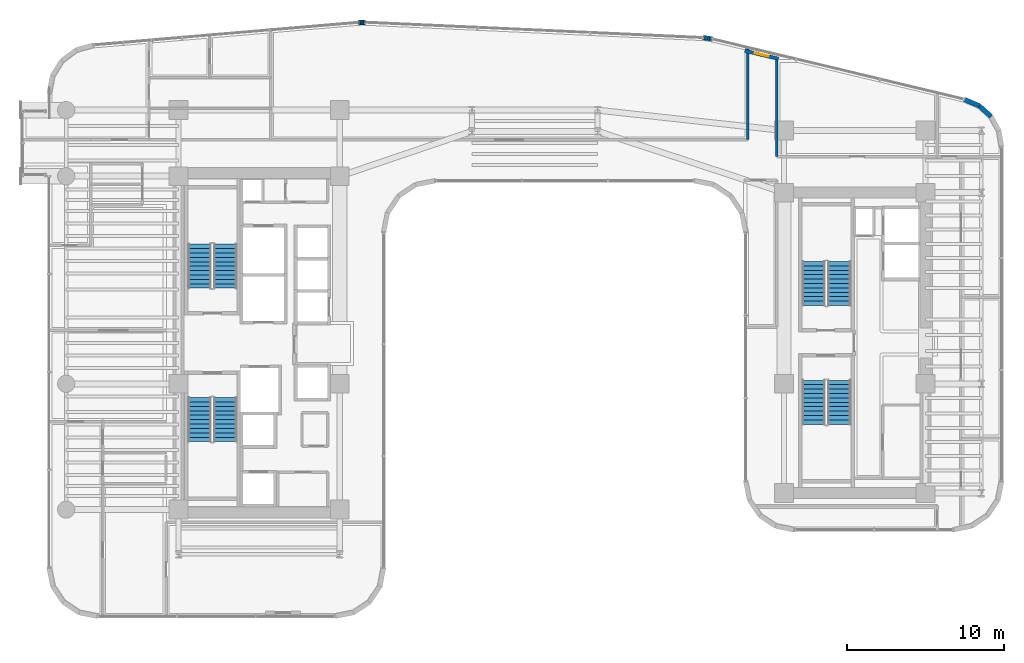
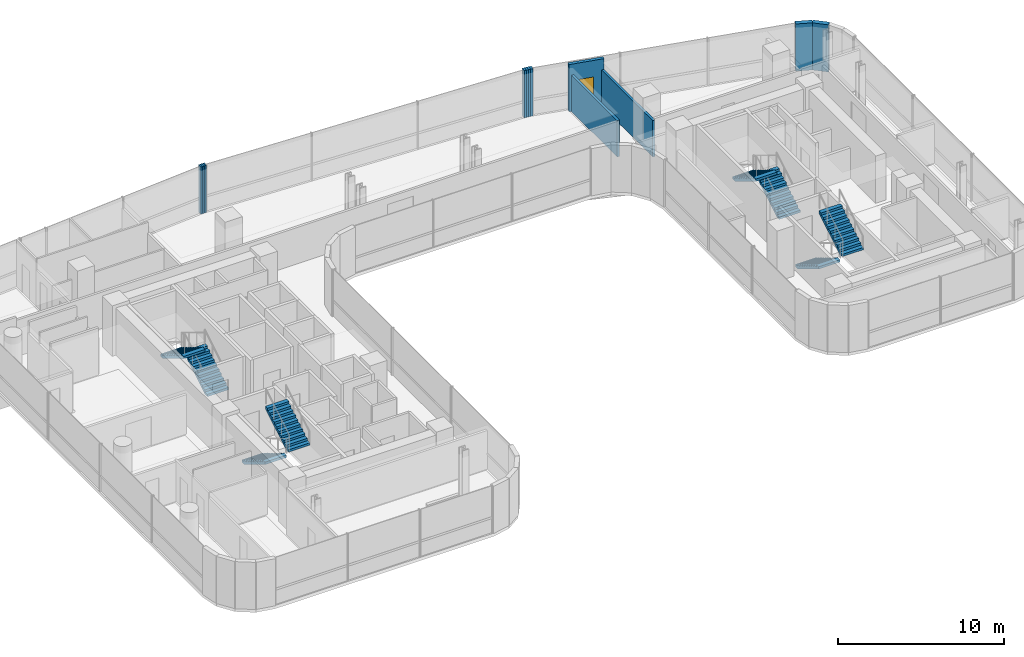
# One storey, part 31 of 35: 13 walls, 8 stair flights, 1 window, 1 opening, 4 elements without a shape of their own.
"""IFC4 building model written with IfcOpenShell, lengths in metres."""

import ifcopenshell
import ifcopenshell.guid

model = None  # the IFC model being written
_history = None  # IfcOwnerHistory: only IFC2X3 demands one
_inside = {}  # id of a spatial element -> (the spatial element, [elements in it])
_under = {}  # id of a project, library or spatial element -> (it, [spatial elements below it])
_declared = {}  # id of a project -> (the project, [libraries it declares])
_typed = {}  # id of a type object -> (the type object, [elements of that type])
_made_of = {}  # id of a material, layer set ... -> (it, [elements and type objects made of it])


def new_model(schema):
    """Start an empty IFC model of exactly this schema.

    Asked for "IFC4X3", IfcOpenShell would pick the latest addendum, in which some entities
    have other attributes; the version numbers below select the first issue.
    IFC2X3 requires an IfcOwnerHistory on every rooted entity: one is made here for all.
    """
    global model, _history
    if schema == "IFC4X3":
        model = ifcopenshell.file(schema_version=(4, 3, 0, 0))
    else:
        model = ifcopenshell.file(schema=schema)
    _inside.clear()
    _under.clear()
    _declared.clear()
    _typed.clear()
    _made_of.clear()
    _history = None
    if model.schema == "IFC2X3":
        org = make("IfcOrganization", Name="unknown")
        user = make(
            "IfcPersonAndOrganization",
            ThePerson=make("IfcPerson", FamilyName="unknown"),
            TheOrganization=org,
        )
        app = make(
            "IfcApplication",
            ApplicationDeveloper=org,
            Version="unknown",
            ApplicationFullName="unknown",
            ApplicationIdentifier="unknown",
        )
        _history = make(
            "IfcOwnerHistory",
            OwningUser=user,
            OwningApplication=app,
            ChangeAction="ADDED",
            CreationDate=0,
        )
    return model


def make(cls, **values):
    """One entity of the class cls with the attributes given. An attribute that is None is left unset."""
    return model.create_entity(
        cls, **{name: value for name, value in values.items() if value is not None}
    )


def rooted(cls, **values):
    """An entity with a GlobalId (a new one), such as an element, a storey or a relation."""
    return make(cls, GlobalId=ifcopenshell.guid.new(), OwnerHistory=_history, **values)


def si_unit(unit_type, name, prefix=None):
    """IfcSIUnit, for example si_unit("LENGTHUNIT", "METRE", prefix="MILLI")."""
    return make("IfcSIUnit", UnitType=unit_type, Prefix=prefix, Name=name)


def assignment(units):
    """IfcUnitAssignment: the units of a project."""
    return None if units is None else make("IfcUnitAssignment", Units=units)


def point(xyz):
    """IfcCartesianPoint."""
    return None if xyz is None else make("IfcCartesianPoint", Coordinates=xyz)


def direction(xyz):
    """IfcDirection."""
    return None if xyz is None else make("IfcDirection", DirectionRatios=xyz)


def frame(location, z_axis=None, x_axis=None):
    """IfcAxis2Placement3D, a coordinate frame: its origin and axes. An axis left out is left unset."""
    return make(
        "IfcAxis2Placement3D",
        Location=point(location),
        Axis=direction(z_axis),
        RefDirection=direction(x_axis),
    )


def frame_2d(location, x_axis=None):
    """IfcAxis2Placement2D, a coordinate frame in the plane: its origin and x axis."""
    return make(
        "IfcAxis2Placement2D", Location=point(location), RefDirection=direction(x_axis)
    )


def origin():
    """The frame at (0, 0, 0) with its axes left unset."""
    return frame((0.0, 0.0, 0.0))


def place(relative_to, where):
    """IfcLocalPlacement: puts the frame where relative to a parent placement (None: the world)."""
    return make(
        "IfcLocalPlacement", PlacementRelTo=relative_to, RelativePlacement=where
    )


def context(
    kind, dimensions, precision=None, world=None, true_north=None, identifier=None
):
    """IfcGeometricRepresentationContext, for example the 3D "Model" context."""
    return make(
        "IfcGeometricRepresentationContext",
        ContextIdentifier=identifier,
        ContextType=kind,
        CoordinateSpaceDimension=dimensions,
        Precision=precision,
        WorldCoordinateSystem=world,
        TrueNorth=true_north,
    )


def subcontext(parent, identifier, kind, view, scale=None):
    """IfcGeometricRepresentationSubContext, for example "Body" below "Model"."""
    return make(
        "IfcGeometricRepresentationSubContext",
        ContextIdentifier=identifier,
        ContextType=kind,
        ParentContext=parent,
        TargetScale=scale,
        TargetView=view,
    )


def project(units=None, contexts=None):
    """IfcProject with its units and contexts."""
    return rooted(
        "IfcProject",
        Name="project",
        RepresentationContexts=contexts,
        UnitsInContext=assignment(units),
    )


def spatial(cls, under=None, at=None, **own):
    """A site, building, storey or space (cls), placed at a placement, below another one or the project."""
    s = rooted(cls, ObjectPlacement=at, **own)
    if under is not None:
        _under.setdefault(under.id(), (under, []))[1].append(s)
    return s


def polyline(points):
    """IfcPolyline through the points."""
    return make("IfcPolyline", Points=[point(p) for p in points])


def profile(cls, at=None, kind="AREA", **sizes):
    """A parametric profile (cls). Its sizes go by their IFC names, for example OverallWidth=200.0."""
    return make(cls, ProfileType=kind, Position=at, **sizes)


def rectangle(**sizes):
    """IfcRectangleProfileDef."""
    return profile("IfcRectangleProfileDef", **sizes)


def outline(outer, holes=None, kind="AREA"):
    """IfcArbitraryClosedProfileDef: a profile drawn as a closed curve; with holes, ...WithVoids."""
    if holes is None:
        return make("IfcArbitraryClosedProfileDef", ProfileType=kind, OuterCurve=outer)
    return make(
        "IfcArbitraryProfileDefWithVoids",
        ProfileType=kind,
        OuterCurve=outer,
        InnerCurves=holes,
    )


def extrude(swept, where, along, depth):
    """IfcExtrudedAreaSolid: the profile swept, set in the frame where, extruded along a direction by depth."""
    return make(
        "IfcExtrudedAreaSolid",
        SweptArea=swept,
        Position=where,
        ExtrudedDirection=direction(along),
        Depth=depth,
    )


def shape(context_of_items, identifier, shape_type, items):
    """IfcShapeRepresentation: the items that make up one representation, for example the "Body"."""
    return make(
        "IfcShapeRepresentation",
        ContextOfItems=context_of_items,
        RepresentationIdentifier=identifier,
        RepresentationType=shape_type,
        Items=items,
    )


def material(Name=None, Category=None):
    """IfcMaterial."""
    return make("IfcMaterial", Name=Name, Category=Category)


def layer(
    of_material, thickness, ventilated=None, Name=None, Category=None, Priority=None
):
    """IfcMaterialLayer: one layer of a wall or slab, of a material (None: an air gap)."""
    return make(
        "IfcMaterialLayer",
        Material=of_material,
        LayerThickness=thickness,
        IsVentilated=ventilated,
        Name=Name,
        Category=Category,
        Priority=Priority,
    )


def layer_set(layers, Name=None):
    """IfcMaterialLayerSet."""
    return make("IfcMaterialLayerSet", MaterialLayers=layers, LayerSetName=Name)


def made_of(thing, what):
    """Note that an element or type object is made of a material, layer set ...; save() writes the relation."""
    if what is not None:
        _made_of.setdefault(what.id(), (what, []))[1].append(thing)
    return thing


def type_object(cls, material=None, **own):
    """A type object (cls), such as IfcWallType, which elements share."""
    return made_of(rooted(cls, **own), material)


def element(
    cls,
    number,
    at=None,
    inside=None,
    cuts=None,
    type_object=None,
    material=None,
    context=None,
    identifier="Body",
    shape_type=None,
    held_by="IfcProductDefinitionShape",
    body=None,
    shapes=None,
    **own,
):
    """One element of the class cls, such as IfcWall. Its Tag is "e" and its number.

    at: its placement. inside: the storey or other place that contains it. cuts: it is an
    opening in that element (IfcRelVoidsElement). A single representation is given by context,
    identifier, shape_type and body (its items); several are given by shapes. held_by: the class
    of the entity that holds the representations. save() writes the other relations.
    """
    e = rooted(cls, Tag="e%d" % number, ObjectPlacement=at, **own)
    if body is not None:
        shapes = [shape(context, identifier, shape_type, body)]
    if shapes is not None:
        e.Representation = make(held_by, Representations=shapes)
    if inside is not None:
        _inside.setdefault(inside.id(), (inside, []))[1].append(e)
    if cuts is not None:
        rooted(
            "IfcRelVoidsElement", RelatingBuildingElement=cuts, RelatedOpeningElement=e
        )
    if type_object is not None:
        _typed.setdefault(type_object.id(), (type_object, []))[1].append(e)
    return made_of(e, material)


def fill(opening, filler):
    """IfcRelFillsElement: the door or window that sits in an opening."""
    return rooted(
        "IfcRelFillsElement",
        RelatingOpeningElement=opening,
        RelatedBuildingElement=filler,
    )


def aggregate(whole, parts):
    """IfcRelAggregates: a whole, such as a stair, and the parts it consists of."""
    return rooted("IfcRelAggregates", RelatingObject=whole, RelatedObjects=parts)


def save(model, path):
    """Write the relations noted so far, then the file.

    IfcRelAggregates (storeys below a building ...), IfcRelContainedInSpatialStructure (elements
    in a storey), IfcRelDefinesByType, IfcRelAssociatesMaterial and IfcRelDeclares: one each for
    every whole, place, type object, material and project.
    """
    for whole, parts in _under.values():
        aggregate(whole, parts)
    for where, things in _inside.values():
        rooted(
            "IfcRelContainedInSpatialStructure",
            RelatedElements=things,
            RelatingStructure=where,
        )
    for kind, things in _typed.values():
        rooted("IfcRelDefinesByType", RelatedObjects=things, RelatingType=kind)
    for what, things in _made_of.values():
        rooted("IfcRelAssociatesMaterial", RelatedObjects=things, RelatingMaterial=what)
    for by, libraries in _declared.values():
        rooted("IfcRelDeclares", RelatingContext=by, RelatedDefinitions=libraries)
    model.write(path)


model = new_model("IFC4")

# Units and contexts
model_context = context("Model", 3, precision=1e-05, world=origin(), true_north=direction((0.0, 1.0)))
body_context = subcontext(model_context, "Body", "Model", "MODEL_VIEW")
ifc_project = project(units=[si_unit("LENGTHUNIT", "METRE"), si_unit("AREAUNIT", "SQUARE_METRE"), si_unit("VOLUMEUNIT", "CUBIC_METRE"), si_unit("PLANEANGLEUNIT", "RADIAN"), si_unit("MASSUNIT", "GRAM", prefix="KILO")], contexts=[model_context])

# Site, building, storey
site_placement = place(None, origin())
site = spatial("IfcSite", under=ifc_project, at=site_placement, CompositionType="ELEMENT")
building_placement = place(site_placement, origin())
building = spatial("IfcBuilding", under=site, at=building_placement, Name="Valdorenza Pilgrim Sanctuary Tower", CompositionType="ELEMENT")
storey_placement = place(building_placement, frame((0.0, 0.0, 150.10009765625)))
storey = spatial("IfcBuildingStorey", under=building, at=storey_placement, Name="L38", CompositionType="ELEMENT", Elevation=150.10009765625)

# Walls
ifc_material_1 = material(Name="Acoustic twin-stud gypsum partition", Category="gypsum")
ifc_layer_1 = layer(ifc_material_1, 0.159912109375, Name="Acoustic twin-stud gypsum partition")
ifc_layer_set_1 = layer_set([ifc_layer_1], Name="Acoustic twin-stud gypsum partition")
wall_type_1 = type_object("IfcWallType", Name="WAL-COR-160", PredefinedType="PARTITIONING", material=ifc_layer_set_1)
wall_1_placement = place(storey_placement, frame((13.550048828125, 12.919921875, 0.0), z_axis=(0.0, 0.0, 1.0), x_axis=(0.0, 1.0, 0.0)))
element("IfcWall", 1, at=wall_1_placement, inside=storey, type_object=wall_type_1, Name="L38 North Band East Closure", PredefinedType="PARTITIONING", context=body_context, shape_type="SweptSolid", body=[
    extrude(rectangle(XDim=5.856689453125, YDim=0.159912109375, at=frame_2d((2.92822265625, 0.0))), origin(), (0.0, 0.0, 1.0), 2.666015625),
])
wall_2_placement = place(storey_placement, frame((15.39990234375, 11.85009765625, 0.0), z_axis=(0.0, 0.0, 1.0), x_axis=(0.0, 1.0, 0.0)))
element("IfcWall", 2, at=wall_2_placement, inside=storey, type_object=wall_type_1, Name="L38 Wing B North West Wall", PredefinedType="PARTITIONING", context=body_context, shape_type="SweptSolid", body=[
    extrude(rectangle(XDim=6.14990234375, YDim=0.159912109375, at=frame_2d((3.074951171875, 0.0))), origin(), (0.0, 0.0, 1.0), 2.666015625),
])
ifc_material_2 = material(Name="Honed travertine limestone", Category="masonry")
ifc_layer_2 = layer(ifc_material_2, 0.300048828125, Name="Honed travertine limestone")
ifc_layer_set_2 = layer_set([ifc_layer_2], Name="Honed travertine limestone")
wall_type_2 = type_object("IfcWallType", Name="WAL-EXT-300", PredefinedType="SOLIDWALL", material=ifc_layer_set_2)
wall_3_placement = place(storey_placement, frame((-11.199462890625, 20.37255859375, 0.0), z_axis=(0.0, 0.0, 1.0), x_axis=(0.997567332166, 0.069709524416, 0.0)))
element("IfcWall", 3, at=wall_3_placement, inside=storey, type_object=wall_type_2, Name="L38 Rounded Wind-Corner Stone Pier 7", PredefinedType="SOLIDWALL", context=body_context, shape_type="SweptSolid", body=[
    extrude(rectangle(XDim=0.1015625, YDim=0.300048828125, at=frame_2d((0.05078125, 0.0))), origin(), (0.0, 0.0, 1.0), 3.4599609375),
])
wall_4_placement = place(storey_placement, frame((-11.09814453125, 20.379638671875, 0.0), z_axis=(0.0, 0.0, 1.0), x_axis=(0.999334672785, 0.03647206835, 0.0)))
element("IfcWall", 4, at=wall_4_placement, inside=storey, type_object=wall_type_2, Name="L38 Rounded Wind-Corner Stone Pier 8", PredefinedType="SOLIDWALL", context=body_context, shape_type="SweptSolid", body=[
    extrude(rectangle(XDim=0.100341796875, YDim=0.300048828125, at=frame_2d((0.05029296875, 0.0))), origin(), (0.0, 0.0, 1.0), 3.4599609375),
])
wall_5_placement = place(storey_placement, frame((-10.997802734375, 20.38330078125, 0.0), z_axis=(0.0, 0.0, 1.0), x_axis=(0.999997054401, 0.002427177317, 0.0)))
element("IfcWall", 5, at=wall_5_placement, inside=storey, type_object=wall_type_2, Name="L38 Rounded Wind-Corner Stone Pier 9", PredefinedType="SOLIDWALL", context=body_context, shape_type="SweptSolid", body=[
    extrude(rectangle(XDim=0.1005859375, YDim=0.300048828125, at=frame_2d((0.05029296875, 0.0))), origin(), (0.0, 0.0, 1.0), 3.4599609375),
])
wall_6_placement = place(storey_placement, frame((-10.897216796875, 20.383544921875, 0.0), z_axis=(0.0, 0.0, 1.0), x_axis=(0.999584209171, -0.02883415988, 0.0)))
element("IfcWall", 6, at=wall_6_placement, inside=storey, type_object=wall_type_2, Name="L38 Rounded Wind-Corner Stone Pier 10", PredefinedType="SOLIDWALL", context=body_context, shape_type="SweptSolid", body=[
    extrude(rectangle(XDim=0.1015625, YDim=0.300048828125, at=frame_2d((0.05078125, 0.0))), origin(), (0.0, 0.0, 1.0), 3.4599609375),
])
wall_7_placement = place(storey_placement, frame((10.68994140625, 19.404052734375, 0.0), z_axis=(0.0, 0.0, 1.0), x_axis=(0.99758310784, -0.069483400546, 0.0)))
element("IfcWall", 7, at=wall_7_placement, inside=storey, type_object=wall_type_2, Name="L38 Rounded Wind-Corner Stone Pier 12", PredefinedType="SOLIDWALL", context=body_context, shape_type="SweptSolid", body=[
    extrude(rectangle(XDim=0.1474609375, YDim=0.300048828125, at=frame_2d((0.07373046875, 0.0))), origin(), (0.0, 0.0, 1.0), 3.4599609375),
])
for number, where, z_axis, x_axis, name in (
    (8, (10.837158203125, 19.393798828125, 0.0), (0.0, 0.0, 1.0), (0.993173334962, -0.116647874912, 0.0), "L38 Rounded Wind-Corner Stone Pier 13"),
    (9, (10.982666015625, 19.376708984375, 0.0), (0.0, 0.0, 1.0), (0.986573494681, -0.163317909592, 0.0), "L38 Rounded Wind-Corner Stone Pier 14"),
):
    element("IfcWall", number, at=place(storey_placement, frame(where, z_axis=z_axis, x_axis=x_axis)), inside=storey, type_object=wall_type_2, Name=name, PredefinedType="SOLIDWALL", context=body_context, shape_type="SweptSolid", body=[
        extrude(rectangle(XDim=0.146484375, YDim=0.300048828125, at=frame_2d((0.0732421875, 0.0))), origin(), (0.0, 0.0, 1.0), 3.4599609375),
    ])
wall_8_placement = place(storey_placement, frame((11.127197265625, 19.352783203125, 0.0), z_axis=(0.0, 0.0, 1.0), x_axis=(0.978019841688, -0.208511844421, 0.0)))
element("IfcWall", 10, at=wall_8_placement, inside=storey, type_object=wall_type_2, Name="L38 Rounded Wind-Corner Stone Pier 15", PredefinedType="SOLIDWALL", context=body_context, shape_type="SweptSolid", body=[
    extrude(rectangle(XDim=0.1474609375, YDim=0.300048828125, at=frame_2d((0.07373046875, 0.0))), origin(), (0.0, 0.0, 1.0), 3.4599609375),
])

# Wall, opening, window
wall_9_placement = place(storey_placement, frame((13.355224609375, 18.576416015625, 0.0), z_axis=(0.0, 0.0, 1.0), x_axis=(0.97252211384, -0.232810519721, 0.0)))
wall_9 = element("IfcWall", 11, at=wall_9_placement, inside=storey, type_object=wall_type_2, Name="L38 Operable Ventilation Sash Jamb Pier", PredefinedType="SOLIDWALL", context=body_context, shape_type="SweptSolid", body=[
    extrude(rectangle(XDim=2.2001953125, YDim=0.219970703125, at=frame_2d((1.10009765625, 0.0))), origin(), (0.0, 0.0, 1.0), 3.4599609375),
])
opening_placement = place(wall_9_placement, frame((0.64990234375, 0.0, 0.949951171875)))
opening = element("IfcOpeningElement", 12, at=opening_placement, cuts=wall_9, Name="Opening WN-OP1", PredefinedType="OPENING", context=body_context, shape_type="SweptSolid", body=[
    extrude(rectangle(XDim=0.89990234375, YDim=1.300048828125, at=frame_2d((0.449951171875, 0.64990234375))), frame((0.0, 0.125, 0.0), z_axis=(0.0, -1.0, 0.0), x_axis=(1.0, 0.0, 0.0)), (0.0, 0.0, 1.0), 0.249755859375),
])
ifc_material_3 = material(Name="Ceramic-fritted low-E IGU glazing", Category="glass")
window_type = type_object("IfcWindowType", Name="WIN-OPN-900", PartitioningType="SINGLE_PANEL", PredefinedType="WINDOW", material=ifc_material_3)
window_placement = place(opening_placement, origin())
window = element("IfcWindow", 13, at=window_placement, inside=storey, type_object=window_type, Name="L38 Parallel-Pop-Out Operable Facade Panel", OverallHeight=1.300048828125, OverallWidth=0.89990234375, PartitioningType="SINGLE_PANEL", PredefinedType="WINDOW", context=body_context, shape_type="SweptSolid", body=[
    extrude(rectangle(XDim=0.89990234375, YDim=1.300048828125, at=frame_2d((0.449951171875, 0.64990234375))), frame((0.0, 0.030029296875, 0.0), z_axis=(0.0, -1.0, 0.0), x_axis=(1.0, 0.0, 0.0)), (0.0, 0.0, 1.0), 0.06005859375),
])
fill(opening, window)

# Walls
wall_10_placement = place(storey_placement, frame((27.310302734375, 15.48291015625, 0.0), z_axis=(0.0, 0.0, 1.0), x_axis=(0.920250328759, -0.391330208927, 0.0)))
element("IfcWall", 14, at=wall_10_placement, inside=storey, type_object=wall_type_2, Name="L38 Rounded Wind-Corner Stone Pier 17", PredefinedType="SOLIDWALL", context=body_context, shape_type="SweptSolid", body=[
    extrude(rectangle(XDim=1.0361328125, YDim=0.300048828125, at=frame_2d((0.51806640625, 0.0))), origin(), (0.0, 0.0, 1.0), 3.4599609375),
])
wall_11_placement = place(storey_placement, frame((28.263916015625, 15.077392578125, 0.0), z_axis=(0.0, 0.0, 1.0), x_axis=(0.741208839713, -0.671274501178, 0.0)))
element("IfcWall", 15, at=wall_11_placement, inside=storey, type_object=wall_type_2, Name="L38 Rounded Wind-Corner Stone Pier 18", PredefinedType="SOLIDWALL", context=body_context, shape_type="SweptSolid", body=[
    extrude(rectangle(XDim=1.0263671875, YDim=0.300048828125, at=frame_2d((0.51318359375, 0.0))), origin(), (0.0, 0.0, 1.0), 3.4599609375),
])

# Stair, stair flights
ifc_material_4 = material(Name="Concrete C40/50", Category="concrete")
stair_type = type_object("IfcStairType", Name="STR-DOG-CORE", PredefinedType="HALF_TURN_STAIR", material=ifc_material_4)
stair_1_placement = place(storey_placement, origin())
stair_1 = element("IfcStair", 16, at=stair_1_placement, inside=storey, type_object=stair_type, Name="L38 ST-A1", PredefinedType="HALF_TURN_STAIR")
stair_flight_type = type_object("IfcStairFlightType", Name="STF-RC-1400", PredefinedType="STRAIGHT", material=ifc_material_4)
stair_flight_1_placement = place(storey_placement, frame((-19.679931640625, 3.47998046875, 0.0), z_axis=(0.0, 0.0, 1.0), x_axis=(0.0, 1.0, 0.0)))
stair_flight_1 = element("IfcStairFlight", 17, at=stair_flight_1_placement, type_object=stair_flight_type, Name="ST-A1 flight 1", NumberOfRisers=11, NumberOfTreads=10, PredefinedType="STRAIGHT", RiserHeight=0.168181818, TreadLength=0.28, context=body_context, shape_type="SweptSolid", body=[
    extrude(outline(polyline([(0.0, 0.0), (0.0, 0.168212890625), (0.280029296875, 0.168212890625), (0.280029296875, 0.33642578125), (0.56005859375, 0.33642578125), (0.56005859375, 0.504638671875), (0.840087890625, 0.504638671875), (0.840087890625, 0.672607421875), (1.1201171875, 0.672607421875), (1.1201171875, 0.8408203125), (1.39990234375, 0.8408203125), (1.39990234375, 1.009033203125), (1.679931640625, 1.009033203125), (1.679931640625, 1.17724609375), (1.9599609375, 1.17724609375), (1.9599609375, 1.345458984375), (2.239990234375, 1.345458984375), (2.239990234375, 1.513671875), (2.52001953125, 1.513671875), (2.52001953125, 1.681884765625), (2.800048828125, 1.681884765625), (2.800048828125, 1.85009765625), (2.800048828125, 1.5068359375), (0.291015625, 0.0), (0.0, 0.0)])), frame((0.0, 0.739990234375, 0.0), z_axis=(0.0, -1.0, 0.0), x_axis=(1.0, 0.0, 0.0)), (0.0, 0.0, 1.0), 1.47998046875),
])
stair_flight_2_placement = place(storey_placement, frame((-21.31005859375, 6.280029296875, 1.849853515625), z_axis=(0.0, 0.0, 1.0), x_axis=(0.0, -1.0, 0.0)))
stair_flight_2 = element("IfcStairFlight", 18, at=stair_flight_2_placement, type_object=stair_flight_type, Name="ST-A1 flight 2", NumberOfRisers=11, NumberOfTreads=10, PredefinedType="STRAIGHT", RiserHeight=0.168181818, TreadLength=0.28, context=body_context, shape_type="SweptSolid", body=[
    extrude(outline(polyline([(0.0, 0.0), (0.0, 0.168212890625), (0.280029296875, 0.168212890625), (0.280029296875, 0.33642578125), (0.56005859375, 0.33642578125), (0.56005859375, 0.504638671875), (0.840087890625, 0.504638671875), (0.840087890625, 0.672607421875), (1.1201171875, 0.672607421875), (1.1201171875, 0.8408203125), (1.39990234375, 0.8408203125), (1.39990234375, 1.009033203125), (1.679931640625, 1.009033203125), (1.679931640625, 1.17724609375), (1.9599609375, 1.17724609375), (1.9599609375, 1.345458984375), (2.239990234375, 1.345458984375), (2.239990234375, 1.513671875), (2.52001953125, 1.513671875), (2.52001953125, 1.681884765625), (2.800048828125, 1.681884765625), (2.800048828125, 1.85009765625), (2.800048828125, 1.5068359375), (0.291015625, 0.0), (0.0, 0.0)])), frame((0.0, 0.739990234375, 0.0), z_axis=(0.0, -1.0, 0.0), x_axis=(1.0, 0.0, 0.0)), (0.0, 0.0, 1.0), 1.47998046875),
])
aggregate(stair_1, [stair_flight_1, stair_flight_2])

stair_2_placement = place(storey_placement, origin())
stair_2 = element("IfcStair", 19, at=stair_2_placement, inside=storey, type_object=stair_type, Name="L38 ST-A2", PredefinedType="HALF_TURN_STAIR")
stair_flight_3_placement = place(storey_placement, frame((-21.31005859375, -3.47998046875, 0.0), z_axis=(0.0, 0.0, 1.0), x_axis=(0.0, -1.0, 0.0)))
stair_flight_3 = element("IfcStairFlight", 20, at=stair_flight_3_placement, type_object=stair_flight_type, Name="ST-A2 flight 1", NumberOfRisers=11, NumberOfTreads=10, PredefinedType="STRAIGHT", RiserHeight=0.168181818, TreadLength=0.28, context=body_context, shape_type="SweptSolid", body=[
    extrude(outline(polyline([(0.0, 0.0), (0.0, 0.168212890625), (0.280029296875, 0.168212890625), (0.280029296875, 0.33642578125), (0.56005859375, 0.33642578125), (0.56005859375, 0.504638671875), (0.840087890625, 0.504638671875), (0.840087890625, 0.672607421875), (1.1201171875, 0.672607421875), (1.1201171875, 0.8408203125), (1.39990234375, 0.8408203125), (1.39990234375, 1.009033203125), (1.679931640625, 1.009033203125), (1.679931640625, 1.17724609375), (1.9599609375, 1.17724609375), (1.9599609375, 1.345458984375), (2.239990234375, 1.345458984375), (2.239990234375, 1.513671875), (2.52001953125, 1.513671875), (2.52001953125, 1.681884765625), (2.800048828125, 1.681884765625), (2.800048828125, 1.85009765625), (2.800048828125, 1.5068359375), (0.291015625, 0.0), (0.0, 0.0)])), frame((0.0, 0.739990234375, 0.0), z_axis=(0.0, -1.0, 0.0), x_axis=(1.0, 0.0, 0.0)), (0.0, 0.0, 1.0), 1.47998046875),
])
stair_flight_4_placement = place(storey_placement, frame((-19.679931640625, -6.280029296875, 1.849853515625), z_axis=(0.0, 0.0, 1.0), x_axis=(0.0, 1.0, 0.0)))
stair_flight_4 = element("IfcStairFlight", 21, at=stair_flight_4_placement, type_object=stair_flight_type, Name="ST-A2 flight 2", NumberOfRisers=11, NumberOfTreads=10, PredefinedType="STRAIGHT", RiserHeight=0.168181818, TreadLength=0.28, context=body_context, shape_type="SweptSolid", body=[
    extrude(outline(polyline([(0.0, 0.0), (0.0, 0.168212890625), (0.280029296875, 0.168212890625), (0.280029296875, 0.33642578125), (0.56005859375, 0.33642578125), (0.56005859375, 0.504638671875), (0.840087890625, 0.504638671875), (0.840087890625, 0.672607421875), (1.1201171875, 0.672607421875), (1.1201171875, 0.8408203125), (1.39990234375, 0.8408203125), (1.39990234375, 1.009033203125), (1.679931640625, 1.009033203125), (1.679931640625, 1.17724609375), (1.9599609375, 1.17724609375), (1.9599609375, 1.345458984375), (2.239990234375, 1.345458984375), (2.239990234375, 1.513671875), (2.52001953125, 1.513671875), (2.52001953125, 1.681884765625), (2.800048828125, 1.681884765625), (2.800048828125, 1.85009765625), (2.800048828125, 1.5068359375), (0.291015625, 0.0), (0.0, 0.0)])), frame((0.0, 0.739990234375, 0.0), z_axis=(0.0, -1.0, 0.0), x_axis=(1.0, 0.0, 0.0)), (0.0, 0.0, 1.0), 1.47998046875),
])
aggregate(stair_2, [stair_flight_3, stair_flight_4])

stair_3_placement = place(storey_placement, origin())
stair_3 = element("IfcStair", 22, at=stair_3_placement, inside=storey, type_object=stair_type, Name="L38 ST-B1", PredefinedType="HALF_TURN_STAIR")
stair_flight_5_placement = place(storey_placement, frame((19.3701171875, 2.3798828125, 0.0), z_axis=(0.0, 0.0, 1.0), x_axis=(0.0, 1.0, 0.0)))
stair_flight_5 = element("IfcStairFlight", 23, at=stair_flight_5_placement, type_object=stair_flight_type, Name="ST-B1 flight 1", NumberOfRisers=11, NumberOfTreads=10, PredefinedType="STRAIGHT", RiserHeight=0.168181818, TreadLength=0.28, context=body_context, shape_type="SweptSolid", body=[
    extrude(outline(polyline([(0.0, 0.0), (0.0, 0.168212890625), (0.280029296875, 0.168212890625), (0.280029296875, 0.33642578125), (0.56005859375, 0.33642578125), (0.56005859375, 0.504638671875), (0.840087890625, 0.504638671875), (0.840087890625, 0.672607421875), (1.1201171875, 0.672607421875), (1.1201171875, 0.8408203125), (1.39990234375, 0.8408203125), (1.39990234375, 1.009033203125), (1.679931640625, 1.009033203125), (1.679931640625, 1.17724609375), (1.9599609375, 1.17724609375), (1.9599609375, 1.345458984375), (2.239990234375, 1.345458984375), (2.239990234375, 1.513671875), (2.52001953125, 1.513671875), (2.52001953125, 1.681884765625), (2.800048828125, 1.681884765625), (2.800048828125, 1.85009765625), (2.800048828125, 1.5068359375), (0.291015625, 0.0), (0.0, 0.0)])), frame((0.0, 0.739990234375, 0.0), z_axis=(0.0, -1.0, 0.0), x_axis=(1.0, 0.0, 0.0)), (0.0, 0.0, 1.0), 1.47998046875),
])
stair_flight_6_placement = place(storey_placement, frame((17.739990234375, 5.179931640625, 1.849853515625), z_axis=(0.0, 0.0, 1.0), x_axis=(0.0, -1.0, 0.0)))
stair_flight_6 = element("IfcStairFlight", 24, at=stair_flight_6_placement, type_object=stair_flight_type, Name="ST-B1 flight 2", NumberOfRisers=11, NumberOfTreads=10, PredefinedType="STRAIGHT", RiserHeight=0.168181818, TreadLength=0.28, context=body_context, shape_type="SweptSolid", body=[
    extrude(outline(polyline([(0.0, 0.0), (0.0, 0.168212890625), (0.280029296875, 0.168212890625), (0.280029296875, 0.33642578125), (0.56005859375, 0.33642578125), (0.56005859375, 0.504638671875), (0.840087890625, 0.504638671875), (0.840087890625, 0.672607421875), (1.1201171875, 0.672607421875), (1.1201171875, 0.8408203125), (1.39990234375, 0.8408203125), (1.39990234375, 1.009033203125), (1.679931640625, 1.009033203125), (1.679931640625, 1.17724609375), (1.9599609375, 1.17724609375), (1.9599609375, 1.345458984375), (2.239990234375, 1.345458984375), (2.239990234375, 1.513671875), (2.52001953125, 1.513671875), (2.52001953125, 1.681884765625), (2.800048828125, 1.681884765625), (2.800048828125, 1.85009765625), (2.800048828125, 1.5068359375), (0.291015625, 0.0), (0.0, 0.0)])), frame((0.0, 0.739990234375, 0.0), z_axis=(0.0, -1.0, 0.0), x_axis=(1.0, 0.0, 0.0)), (0.0, 0.0, 1.0), 1.47998046875),
])
aggregate(stair_3, [stair_flight_5, stair_flight_6])

stair_4_placement = place(storey_placement, origin())
stair_4 = element("IfcStair", 25, at=stair_4_placement, inside=storey, type_object=stair_type, Name="L38 ST-B2", PredefinedType="HALF_TURN_STAIR")
stair_flight_7_placement = place(storey_placement, frame((17.739990234375, -2.3798828125, 0.0), z_axis=(0.0, 0.0, 1.0), x_axis=(0.0, -1.0, 0.0)))
stair_flight_7 = element("IfcStairFlight", 26, at=stair_flight_7_placement, type_object=stair_flight_type, Name="ST-B2 flight 1", NumberOfRisers=11, NumberOfTreads=10, PredefinedType="STRAIGHT", RiserHeight=0.168181818, TreadLength=0.28, context=body_context, shape_type="SweptSolid", body=[
    extrude(outline(polyline([(0.0, 0.0), (0.0, 0.168212890625), (0.280029296875, 0.168212890625), (0.280029296875, 0.33642578125), (0.56005859375, 0.33642578125), (0.56005859375, 0.504638671875), (0.840087890625, 0.504638671875), (0.840087890625, 0.672607421875), (1.1201171875, 0.672607421875), (1.1201171875, 0.8408203125), (1.39990234375, 0.8408203125), (1.39990234375, 1.009033203125), (1.679931640625, 1.009033203125), (1.679931640625, 1.17724609375), (1.9599609375, 1.17724609375), (1.9599609375, 1.345458984375), (2.239990234375, 1.345458984375), (2.239990234375, 1.513671875), (2.52001953125, 1.513671875), (2.52001953125, 1.681884765625), (2.800048828125, 1.681884765625), (2.800048828125, 1.85009765625), (2.800048828125, 1.5068359375), (0.291015625, 0.0), (0.0, 0.0)])), frame((0.0, 0.739990234375, 0.0), z_axis=(0.0, -1.0, 0.0), x_axis=(1.0, 0.0, 0.0)), (0.0, 0.0, 1.0), 1.47998046875),
])
stair_flight_8_placement = place(storey_placement, frame((19.3701171875, -5.179931640625, 1.849853515625), z_axis=(0.0, 0.0, 1.0), x_axis=(0.0, 1.0, 0.0)))
stair_flight_8 = element("IfcStairFlight", 27, at=stair_flight_8_placement, type_object=stair_flight_type, Name="ST-B2 flight 2", NumberOfRisers=11, NumberOfTreads=10, PredefinedType="STRAIGHT", RiserHeight=0.168181818, TreadLength=0.28, context=body_context, shape_type="SweptSolid", body=[
    extrude(outline(polyline([(0.0, 0.0), (0.0, 0.168212890625), (0.280029296875, 0.168212890625), (0.280029296875, 0.33642578125), (0.56005859375, 0.33642578125), (0.56005859375, 0.504638671875), (0.840087890625, 0.504638671875), (0.840087890625, 0.672607421875), (1.1201171875, 0.672607421875), (1.1201171875, 0.8408203125), (1.39990234375, 0.8408203125), (1.39990234375, 1.009033203125), (1.679931640625, 1.009033203125), (1.679931640625, 1.17724609375), (1.9599609375, 1.17724609375), (1.9599609375, 1.345458984375), (2.239990234375, 1.345458984375), (2.239990234375, 1.513671875), (2.52001953125, 1.513671875), (2.52001953125, 1.681884765625), (2.800048828125, 1.681884765625), (2.800048828125, 1.85009765625), (2.800048828125, 1.5068359375), (0.291015625, 0.0), (0.0, 0.0)])), frame((0.0, 0.739990234375, 0.0), z_axis=(0.0, -1.0, 0.0), x_axis=(1.0, 0.0, 0.0)), (0.0, 0.0, 1.0), 1.47998046875),
])
aggregate(stair_4, [stair_flight_7, stair_flight_8])

save(model, "model.ifc")
